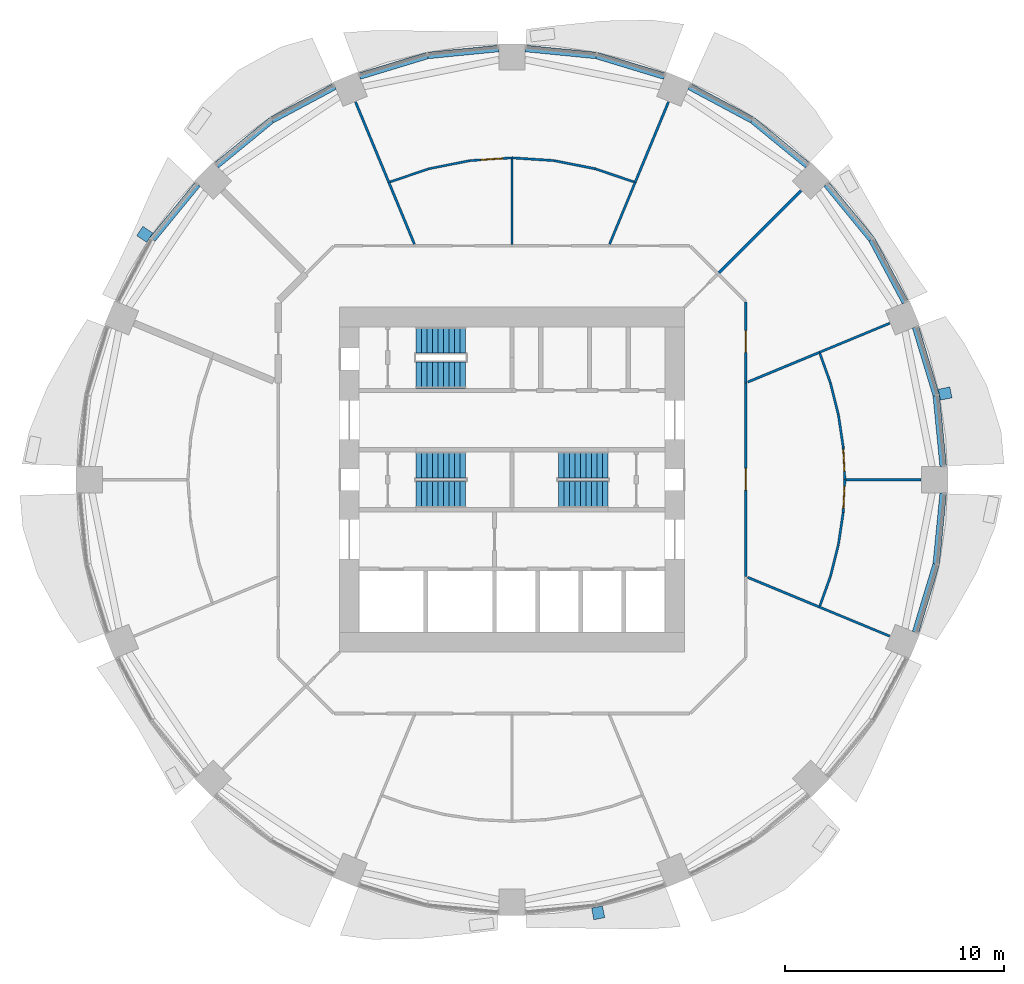
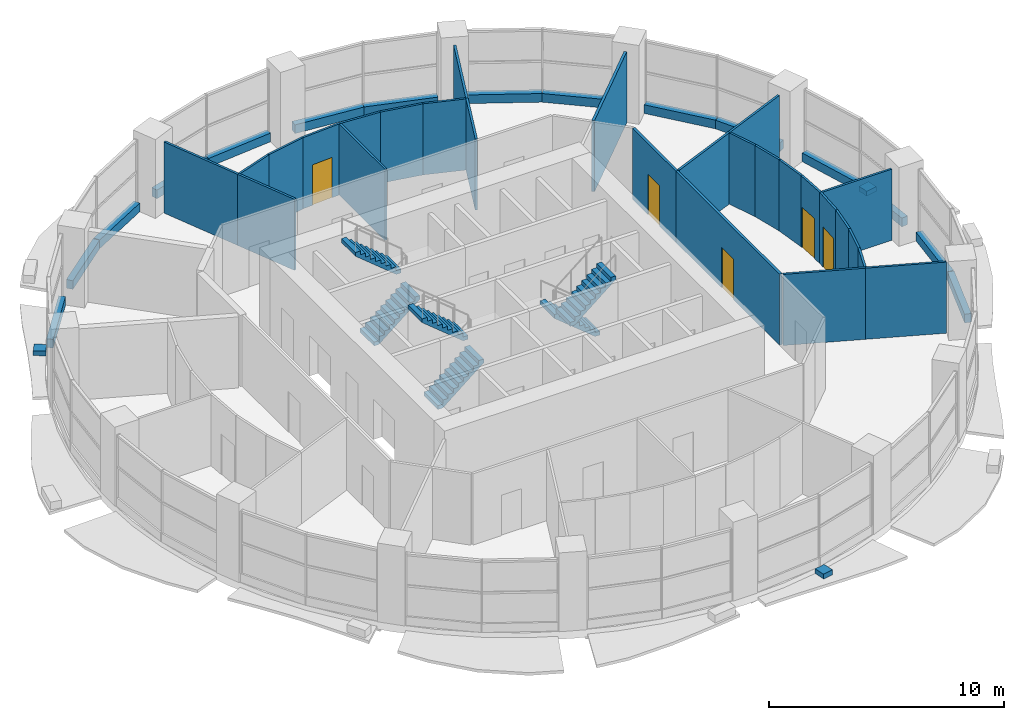
# One storey, part 10 of 14: 42 walls, 6 stair flights, 5 doors, 3 discrete accessories, 5 openings, 3 elements without a shape of their own.
"""IFC4 building model written with IfcOpenShell, lengths in metres."""

from ifc_helpers import new_model, si_unit, direction, frame, frame_2d, origin, place, context, subcontext, project, spatial, polyline, rectangle, outline, extrude, material, layer, layer_set, type_object, element, fill, aggregate, save


model = new_model("IFC4")

# Units and contexts
model_context = context("Model", 3, precision=1e-05, world=origin(), true_north=direction((0.0, 1.0)))
body_context = subcontext(model_context, "Body", "Model", "MODEL_VIEW")
ifc_project = project(units=[si_unit("LENGTHUNIT", "METRE"), si_unit("AREAUNIT", "SQUARE_METRE"), si_unit("VOLUMEUNIT", "CUBIC_METRE"), si_unit("PLANEANGLEUNIT", "RADIAN"), si_unit("MASSUNIT", "GRAM", prefix="KILO")], contexts=[model_context])

# Site, building, storey
site_placement = place(None, origin())
site = spatial("IfcSite", under=ifc_project, at=site_placement, CompositionType="ELEMENT")
building_placement = place(site_placement, origin())
building = spatial("IfcBuilding", under=site, at=building_placement, Name="Polderwave Tower", CompositionType="ELEMENT")
storey_placement = place(building_placement, frame((0.0, 0.0, 14.39990234375)))
storey = spatial("IfcBuildingStorey", under=building, at=storey_placement, Name="L03", CompositionType="ELEMENT", Elevation=14.39990234375)

# Walls
ifc_material_1 = material(Name="Concrete C50/60 (board-marked)", Category="concrete")
ifc_layer_1 = layer(ifc_material_1, 0.300048828125)
ifc_layer_set_1 = layer_set([ifc_layer_1], Name="Concrete spandrel upstand C50/60")
wall_type_1 = type_object("IfcWallType", Name="Concrete spandrel upstand C50/60", PredefinedType="SOLIDWALL", material=ifc_layer_set_1)
wall_1_placement = place(storey_placement, frame((19.679443359375, 0.61279296875, 0.0), z_axis=(0.0, 0.0, 1.0), x_axis=(-0.097839315898, 0.995202224809, 0.0)))
element("IfcWall", 1, at=wall_1_placement, inside=storey, type_object=wall_type_1, Name="Spandrel L03 1a", PredefinedType="SOLIDWALL", context=body_context, shape_type="SweptSolid", body=[
    extrude(rectangle(XDim=3.239013671875, YDim=0.300048828125, at=frame_2d((1.61962890625, 0.0))), origin(), (0.0, 0.0, 1.0), 0.4501953125),
])
wall_2_placement = place(storey_placement, frame((19.356689453125, 3.865478515625, 0.0), z_axis=(0.0, 0.0, 1.0), x_axis=(-0.290390365963, 0.956908269039, 0.0)))
element("IfcWall", 2, at=wall_2_placement, inside=storey, type_object=wall_type_1, Name="Spandrel L03 1b", PredefinedType="SOLIDWALL", context=body_context, shape_type="SweptSolid", body=[
    extrude(rectangle(XDim=3.237548828125, YDim=0.300048828125, at=frame_2d((1.61865234375, 0.0))), origin(), (0.0, 0.0, 1.0), 0.4501953125),
])
for number, where, z_axis, x_axis, name in (
    (3, (17.94580078125, 8.09716796875, 0.0), (0.0, 0.0, 1.0), (-0.471085080078, 0.882087777564, 0.0), "Spandrel L03 2a"),
    (4, (16.403564453125, 10.978515625, 0.0), (0.0, 0.0, 1.0), (-0.634218412843, 0.773153933451, 0.0), "Spandrel L03 2b"),
    (5, (13.482421875, 14.349609375, 0.0), (0.0, 0.0, 1.0), (-0.773153933451, 0.634218412843, 0.0), "Spandrel L03 3a"),
    (6, (10.953857421875, 16.420166015625, 0.0), (0.0, 0.0, 1.0), (-0.882087777564, 0.471085080078, 0.0), "Spandrel L03 3b"),
):
    element("IfcWall", number, at=place(storey_placement, frame(where, z_axis=z_axis, x_axis=x_axis)), inside=storey, type_object=wall_type_1, Name=name, PredefinedType="SOLIDWALL", context=body_context, shape_type="SweptSolid", body=[
        extrude(rectangle(XDim=3.238525390625, YDim=0.300048828125, at=frame_2d((1.619140625, 0.0))), origin(), (0.0, 0.0, 1.0), 0.4501953125),
    ])
wall_3_placement = place(storey_placement, frame((6.963623046875, 18.41650390625, 0.0), z_axis=(0.0, 0.0, 1.0), x_axis=(-0.956908269039, 0.290390365963, 0.0)))
element("IfcWall", 7, at=wall_3_placement, inside=storey, type_object=wall_type_1, Name="Spandrel L03 4a", PredefinedType="SOLIDWALL", context=body_context, shape_type="SweptSolid", body=[
    extrude(rectangle(XDim=3.237548828125, YDim=0.300048828125, at=frame_2d((1.61865234375, 0.0))), origin(), (0.0, 0.0, 1.0), 0.4501953125),
])
for number, where, z_axis, x_axis, name in (
    (8, (3.836181640625, 19.362548828125, 0.0), (0.0, 0.0, 1.0), (-0.995202224809, 0.097839315898, 0.0), "Spandrel L03 4b"),
    (9, (-0.61279296875, 19.679443359375, 0.0), (0.0, 0.0, 1.0), (-0.995202224809, -0.097839315898, 0.0), "Spandrel L03 5a"),
):
    element("IfcWall", number, at=place(storey_placement, frame(where, z_axis=z_axis, x_axis=x_axis)), inside=storey, type_object=wall_type_1, Name=name, PredefinedType="SOLIDWALL", context=body_context, shape_type="SweptSolid", body=[
        extrude(rectangle(XDim=3.239013671875, YDim=0.300048828125, at=frame_2d((1.61962890625, 0.0))), origin(), (0.0, 0.0, 1.0), 0.4501953125),
    ])
wall_4_placement = place(storey_placement, frame((-3.865478515625, 19.356689453125, 0.0), z_axis=(0.0, 0.0, 1.0), x_axis=(-0.956908269039, -0.290390365963, 0.0)))
element("IfcWall", 10, at=wall_4_placement, inside=storey, type_object=wall_type_1, Name="Spandrel L03 5b", PredefinedType="SOLIDWALL", context=body_context, shape_type="SweptSolid", body=[
    extrude(rectangle(XDim=3.237548828125, YDim=0.300048828125, at=frame_2d((1.61865234375, 0.0))), origin(), (0.0, 0.0, 1.0), 0.4501953125),
])
for number, where, z_axis, x_axis, name in (
    (11, (-8.09716796875, 17.94580078125, 0.0), (0.0, 0.0, 1.0), (-0.882087777564, -0.471085080078, 0.0), "Spandrel L03 6a"),
    (12, (-10.978515625, 16.403564453125, 0.0), (0.0, 0.0, 1.0), (-0.773153933451, -0.634218412843, 0.0), "Spandrel L03 6b"),
    (13, (-14.349609375, 13.482421875, 0.0), (0.0, 0.0, 1.0), (-0.634218412843, -0.773153933451, 0.0), "Spandrel L03 7a"),
):
    element("IfcWall", number, at=place(storey_placement, frame(where, z_axis=z_axis, x_axis=x_axis)), inside=storey, type_object=wall_type_1, Name=name, PredefinedType="SOLIDWALL", context=body_context, shape_type="SweptSolid", body=[
        extrude(rectangle(XDim=3.238525390625, YDim=0.300048828125, at=frame_2d((1.619140625, 0.0))), origin(), (0.0, 0.0, 1.0), 0.4501953125),
    ])
wall_5_placement = place(storey_placement, frame((18.41650390625, -6.963623046875, 0.0), z_axis=(0.0, 0.0, 1.0), x_axis=(0.290390365963, 0.956908269039, 0.0)))
element("IfcWall", 14, at=wall_5_placement, inside=storey, type_object=wall_type_1, Name="Spandrel L03 16a", PredefinedType="SOLIDWALL", context=body_context, shape_type="SweptSolid", body=[
    extrude(rectangle(XDim=3.237548828125, YDim=0.300048828125, at=frame_2d((1.61865234375, 0.0))), origin(), (0.0, 0.0, 1.0), 0.4501953125),
])
wall_6_placement = place(storey_placement, frame((19.362548828125, -3.836181640625, 0.0), z_axis=(0.0, 0.0, 1.0), x_axis=(0.097839315898, 0.995202224809, 0.0)))
element("IfcWall", 15, at=wall_6_placement, inside=storey, type_object=wall_type_1, Name="Spandrel L03 16b", PredefinedType="SOLIDWALL", context=body_context, shape_type="SweptSolid", body=[
    extrude(rectangle(XDim=3.239013671875, YDim=0.300048828125, at=frame_2d((1.61962890625, 0.0))), origin(), (0.0, 0.0, 1.0), 0.4501953125),
])

# Wall, opening, door
ifc_material_2 = material(Name="Fire-resisting board on steel studs", Category="steel")
ifc_layer_2 = layer(ifc_material_2, 0.125)
ifc_layer_set_2 = layer_set([ifc_layer_2], Name="Corridor wall 125 mm EI 60")
wall_type_2 = type_object("IfcWallType", Name="Corridor wall 125 mm EI 60", PredefinedType="PARTITIONING", material=ifc_layer_set_2)
wall_7_placement = place(storey_placement, frame((10.674072265625, 4.42138671875, 0.0), z_axis=(0.0, 0.0, 1.0), x_axis=(0.0, -1.0, 0.0)))
wall_7 = element("IfcWall", 16, at=wall_7_placement, inside=storey, type_object=wall_type_2, Name="IN-L03-W002", PredefinedType="PARTITIONING", context=body_context, shape_type="SweptSolid", body=[
    extrude(rectangle(XDim=8.8427734375, YDim=0.125, at=frame_2d((4.42138671875, 0.0))), origin(), (0.0, 0.0, 1.0), 3.7001953125),
])
opening_1_placement = place(wall_7_placement, frame((3.89990234375, 0.0, 0.0)))
opening_1 = element("IfcOpeningElement", 17, at=opening_1_placement, cuts=wall_7, Name="Opening L03-D51", PredefinedType="OPENING", context=body_context, shape_type="SweptSolid", body=[
    extrude(rectangle(XDim=1.0, YDim=2.10009765625, at=frame_2d((0.5, 1.050048828125))), frame((0.0, 0.072509765625, 0.0), z_axis=(0.0, -1.0, 0.0), x_axis=(1.0, 0.0, 0.0)), (0.0, 0.0, 1.0), 0.14501953125),
])
ifc_material_3 = material(Name="Timber fire door leaf", Category="wood")
door_type_1 = type_object("IfcDoorType", Name="Fire door FD30S 1000 x 2100", OperationType="NOTDEFINED", PredefinedType="DOOR", material=ifc_material_3)
door_1_placement = place(opening_1_placement, origin())
door_1 = element("IfcDoor", 18, at=door_1_placement, inside=storey, type_object=door_type_1, Name="Door L03-D51", OperationType="SINGLE_SWING_LEFT", OverallHeight=2.10009765625, OverallWidth=1.0, PredefinedType="DOOR", context=body_context, shape_type="SweptSolid", body=[
    extrude(rectangle(XDim=1.0, YDim=2.10009765625, at=frame_2d((0.5, 1.050048828125))), frame((0.0, 0.02490234375, 0.0), z_axis=(0.0, -1.0, 0.0), x_axis=(1.0, 0.0, 0.0)), (0.0, 0.0, 1.0), 0.050048828125),
])
fill(opening_1, door_1)

wall_8_placement = place(storey_placement, frame((10.674072265625, 8.109130859375, 0.0), z_axis=(0.0, 0.0, 1.0), x_axis=(0.0, -1.0, 0.0)))
wall_8 = element("IfcWall", 19, at=wall_8_placement, inside=storey, type_object=wall_type_2, Name="IN-L03-W004", PredefinedType="PARTITIONING", context=body_context, shape_type="SweptSolid", body=[
    extrude(rectangle(XDim=3.687744140625, YDim=0.125, at=frame_2d((1.84375, 0.0))), origin(), (0.0, 0.0, 1.0), 3.7001953125),
])
opening_2_placement = place(wall_8_placement, frame((1.300048828125, 0.0, 0.0)))
opening_2 = element("IfcOpeningElement", 20, at=opening_2_placement, cuts=wall_8, Name="Opening L03-D52", PredefinedType="OPENING", context=body_context, shape_type="SweptSolid", body=[
    extrude(rectangle(XDim=1.0, YDim=2.10009765625, at=frame_2d((0.5, 1.050048828125))), frame((0.0, 0.072509765625, 0.0), z_axis=(0.0, -1.0, 0.0), x_axis=(1.0, 0.0, 0.0)), (0.0, 0.0, 1.0), 0.14501953125),
])
door_2_placement = place(opening_2_placement, origin())
door_2 = element("IfcDoor", 21, at=door_2_placement, inside=storey, type_object=door_type_1, Name="Door L03-D52", OperationType="SINGLE_SWING_LEFT", OverallHeight=2.10009765625, OverallWidth=1.0, PredefinedType="DOOR", context=body_context, shape_type="SweptSolid", body=[
    extrude(rectangle(XDim=1.0, YDim=2.10009765625, at=frame_2d((0.5, 1.050048828125))), frame((0.0, 0.02490234375, 0.0), z_axis=(0.0, -1.0, 0.0), x_axis=(1.0, 0.0, 0.0)), (0.0, 0.0, 1.0), 0.050048828125),
])
fill(opening_2, door_2)

# Walls
wall_9_placement = place(storey_placement, frame((9.44873046875, 9.44873046875, 0.0), z_axis=(0.0, 0.0, 1.0), x_axis=(0.707106781187, 0.707106781187, 0.0)))
element("IfcWall", 22, at=wall_9_placement, inside=storey, type_object=wall_type_2, Name="IN-L03-W036", PredefinedType="PARTITIONING", context=body_context, shape_type="SweptSolid", body=[
    extrude(rectangle(XDim=5.29736328125, YDim=0.125, at=frame_2d((2.648681640625, 0.0))), origin(), (0.0, 0.0, 1.0), 3.7001953125),
])
ifc_material_4 = material(Name="Plasterboard on steel studs", Category="steel")
ifc_layer_3 = layer(ifc_material_4, 0.10009765625)
ifc_layer_set_3 = layer_set([ifc_layer_3], Name="Partition 100 mm plasterboard on steel studs")
wall_type_3 = type_object("IfcWallType", Name="Partition 100 mm plasterboard on steel studs", PredefinedType="PARTITIONING", material=ifc_layer_set_3)
wall_10_placement = place(storey_placement, frame((-3.80517578125, 14.1884765625, 0.0), z_axis=(0.0, 0.0, 1.0), x_axis=(-0.946923058419, -0.321460295269, 0.0)))
element("IfcWall", 23, at=wall_10_placement, inside=storey, type_object=wall_type_3, Name="IN-L03-W044", PredefinedType="PARTITIONING", context=body_context, shape_type="SweptSolid", body=[
    extrude(rectangle(XDim=1.85986328125, YDim=0.10009765625, at=frame_2d((0.929931640625, 0.0))), origin(), (0.0, 0.0, 1.0), 3.7001953125),
])
wall_11_placement = place(storey_placement, frame((-1.920654296875, 14.563720703125, 0.0), z_axis=(0.0, 0.0, 1.0), x_axis=(-0.980790960038, -0.195061766393, 0.0)))
element("IfcWall", 24, at=wall_11_placement, inside=storey, type_object=wall_type_3, Name="IN-L03-W045", PredefinedType="PARTITIONING", context=body_context, shape_type="SweptSolid", body=[
    extrude(rectangle(XDim=1.9150390625, YDim=0.10009765625, at=frame_2d((0.95751953125, 0.0))), origin(), (0.0, 0.0, 1.0), 3.7001953125),
])

# Wall, opening, door
wall_12_placement = place(storey_placement, frame((-1.9140625, 14.564453125, 0.0), z_axis=(0.0, 0.0, 1.0), x_axis=(0.997857766384, 0.065420777031, 0.0)))
wall_12 = element("IfcWall", 25, at=wall_12_placement, inside=storey, type_object=wall_type_3, Name="IN-L03-W046", PredefinedType="PARTITIONING", context=body_context, shape_type="SweptSolid", body=[
    extrude(rectangle(XDim=1.918212890625, YDim=0.10009765625, at=frame_2d((0.958984375, 0.0))), origin(), (0.0, 0.0, 1.0), 3.7001953125),
])
opening_3_placement = place(wall_12_placement, frame((0.5, 0.0, 0.0)))
opening_3 = element("IfcOpeningElement", 26, at=opening_3_placement, cuts=wall_12, Name="Opening L03-D67", PredefinedType="OPENING", context=body_context, shape_type="SweptSolid", body=[
    extrude(rectangle(XDim=1.0, YDim=2.10009765625, at=frame_2d((0.5, 1.050048828125))), frame((0.0, 0.06005859375, 0.0), z_axis=(0.0, -1.0, 0.0), x_axis=(1.0, 0.0, 0.0)), (0.0, 0.0, 1.0), 0.1201171875),
])
ifc_material_5 = material(Name="Timber veneer door leaf", Category="wood")
door_type_2 = type_object("IfcDoorType", Name="Single door 1000 x 2100", OperationType="NOTDEFINED", PredefinedType="DOOR", material=ifc_material_5)
door_3_placement = place(opening_3_placement, origin())
door_3 = element("IfcDoor", 27, at=door_3_placement, inside=storey, type_object=door_type_2, Name="Door L03-D67", OperationType="SINGLE_SWING_RIGHT", OverallHeight=2.10009765625, OverallWidth=1.0, PredefinedType="DOOR", context=body_context, shape_type="SweptSolid", body=[
    extrude(rectangle(XDim=1.0, YDim=2.10009765625, at=frame_2d((0.5, 1.050048828125))), frame((0.0, 0.02490234375, 0.0), z_axis=(0.0, -1.0, 0.0), x_axis=(1.0, 0.0, 0.0)), (0.0, 0.0, 1.0), 0.050048828125),
])
fill(opening_3, door_3)

# Walls
ifc_material_6 = material(Name="Moisture-resistant board on steel studs, tiled", Category="steel")
ifc_layer_4 = layer(ifc_material_6, 0.10498046875)
ifc_layer_set_4 = layer_set([ifc_layer_4], Name="Partition 105 mm wet room board and tile")
wall_type_4 = type_object("IfcWallType", Name="Partition 105 mm wet room board and tile", PredefinedType="PARTITIONING", material=ifc_layer_set_4)
wall_13_placement = place(storey_placement, frame((14.052978515625, 5.758544921875, 0.0), z_axis=(0.0, 0.0, 1.0), x_axis=(0.336941851805, -0.941525458234, 0.0)))
element("IfcWall", 28, at=wall_13_placement, inside=storey, type_object=wall_type_4, Name="IN-L03-W026", PredefinedType="PARTITIONING", context=body_context, shape_type="SweptSolid", body=[
    extrude(rectangle(XDim=1.430419921875, YDim=0.10498046875, at=frame_2d((0.71533203125, 0.0))), origin(), (0.0, 0.0, 1.0), 3.7001953125),
])
for number, where, z_axis, x_axis, name in (
    (29, (14.53662109375, 4.406982421875, 0.0), (0.0, 0.0, 1.0), (0.242883607916, -0.97005543811, 0.0), "IN-L03-W027"),
    (30, (14.8984375, 2.9609375, 0.0), (0.0, 0.0, 1.0), (0.146757118084, -0.989172557389, 0.0), "IN-L03-W028"),
):
    element("IfcWall", number, at=place(storey_placement, frame(where, z_axis=z_axis, x_axis=x_axis)), inside=storey, type_object=wall_type_4, Name=name, PredefinedType="PARTITIONING", context=body_context, shape_type="SweptSolid", body=[
        extrude(rectangle(XDim=1.485595703125, YDim=0.10498046875, at=frame_2d((0.74267578125, 0.0))), origin(), (0.0, 0.0, 1.0), 3.7001953125),
    ])

# Wall, opening, door
wall_14_placement = place(storey_placement, frame((15.116943359375, 1.486328125, 0.0), z_axis=(0.0, 0.0, 1.0), x_axis=(0.049053883697, -0.9987961336, 0.0)))
wall_14 = element("IfcWall", 31, at=wall_14_placement, inside=storey, type_object=wall_type_4, Name="IN-L03-W029", PredefinedType="PARTITIONING", context=body_context, shape_type="SweptSolid", body=[
    extrude(rectangle(XDim=1.488037109375, YDim=0.10498046875, at=frame_2d((0.744140625, 0.0))), origin(), (0.0, 0.0, 1.0), 3.7001953125),
])
opening_4_placement = place(wall_14_placement, frame((0.10009765625, 0.0, 0.0)))
opening_4 = element("IfcOpeningElement", 32, at=opening_4_placement, cuts=wall_14, Name="Opening L03-D65", PredefinedType="OPENING", context=body_context, shape_type="SweptSolid", body=[
    extrude(rectangle(XDim=1.0, YDim=2.10009765625, at=frame_2d((0.5, 1.050048828125))), frame((0.0, 0.0625, 0.0), z_axis=(0.0, -1.0, 0.0), x_axis=(1.0, 0.0, 0.0)), (0.0, 0.0, 1.0), 0.125),
])
door_4_placement = place(opening_4_placement, origin())
door_4 = element("IfcDoor", 33, at=door_4_placement, inside=storey, type_object=door_type_2, Name="Door L03-D65", OperationType="SINGLE_SWING_LEFT", OverallHeight=2.10009765625, OverallWidth=1.0, PredefinedType="DOOR", context=body_context, shape_type="SweptSolid", body=[
    extrude(rectangle(XDim=1.0, YDim=2.10009765625, at=frame_2d((0.5, 1.050048828125))), frame((0.0, 0.02490234375, 0.0), z_axis=(0.0, -1.0, 0.0), x_axis=(1.0, 0.0, 0.0)), (0.0, 0.0, 1.0), 0.050048828125),
])
fill(opening_4, door_4)

# Walls
wall_15_placement = place(storey_placement, frame((14.534912109375, -4.411865234375, 0.0), z_axis=(0.0, 0.0, 1.0), x_axis=(-0.336941851805, -0.941525458234, 0.0)))
element("IfcWall", 34, at=wall_15_placement, inside=storey, type_object=wall_type_4, Name="IN-L03-W031", PredefinedType="PARTITIONING", context=body_context, shape_type="SweptSolid", body=[
    extrude(rectangle(XDim=1.430419921875, YDim=0.10498046875, at=frame_2d((0.71533203125, 0.0))), origin(), (0.0, 0.0, 1.0), 3.7001953125),
])
for number, where, z_axis, x_axis, name in (
    (35, (14.8974609375, -2.9658203125, 0.0), (0.0, 0.0, 1.0), (-0.242883607916, -0.97005543811, 0.0), "IN-L03-W032"),
    (36, (15.116455078125, -1.491455078125, 0.0), (0.0, 0.0, 1.0), (-0.146757118084, -0.989172557389, 0.0), "IN-L03-W033"),
):
    element("IfcWall", number, at=place(storey_placement, frame(where, z_axis=z_axis, x_axis=x_axis)), inside=storey, type_object=wall_type_4, Name=name, PredefinedType="PARTITIONING", context=body_context, shape_type="SweptSolid", body=[
        extrude(rectangle(XDim=1.485595703125, YDim=0.10498046875, at=frame_2d((0.74267578125, 0.0))), origin(), (0.0, 0.0, 1.0), 3.7001953125),
    ])

# Wall, opening, door
wall_16_placement = place(storey_placement, frame((15.18994140625, 0.0, 0.0), z_axis=(0.0, 0.0, 1.0), x_axis=(-0.049053883697, -0.9987961336, 0.0)))
wall_16 = element("IfcWall", 37, at=wall_16_placement, inside=storey, type_object=wall_type_4, Name="IN-L03-W034", PredefinedType="PARTITIONING", context=body_context, shape_type="SweptSolid", body=[
    extrude(rectangle(XDim=1.488037109375, YDim=0.10498046875, at=frame_2d((0.744140625, 0.0))), origin(), (0.0, 0.0, 1.0), 3.7001953125),
])
opening_5_placement = place(wall_16_placement, frame((0.300048828125, 0.0, 0.0)))
opening_5 = element("IfcOpeningElement", 38, at=opening_5_placement, cuts=wall_16, Name="Opening L03-D66", PredefinedType="OPENING", context=body_context, shape_type="SweptSolid", body=[
    extrude(rectangle(XDim=1.0, YDim=2.10009765625, at=frame_2d((0.5, 1.050048828125))), frame((0.0, 0.0625, 0.0), z_axis=(0.0, -1.0, 0.0), x_axis=(1.0, 0.0, 0.0)), (0.0, 0.0, 1.0), 0.125),
])
door_5_placement = place(opening_5_placement, origin())
door_5 = element("IfcDoor", 39, at=door_5_placement, inside=storey, type_object=door_type_2, Name="Door L03-D66", OperationType="SINGLE_SWING_RIGHT", OverallHeight=2.10009765625, OverallWidth=1.0, PredefinedType="DOOR", context=body_context, shape_type="SweptSolid", body=[
    extrude(rectangle(XDim=1.0, YDim=2.10009765625, at=frame_2d((0.5, 1.050048828125))), frame((0.0, 0.02490234375, 0.0), z_axis=(0.0, -1.0, 0.0), x_axis=(1.0, 0.0, 0.0)), (0.0, 0.0, 1.0), 0.050048828125),
])
fill(opening_5, door_5)

# Walls
wall_17_placement = place(storey_placement, frame((17.239501953125, 7.140869140625, 0.0), z_axis=(0.0, 0.0, 1.0), x_axis=(-0.923880484932, -0.382681133009, 0.0)))
element("IfcWall", 40, at=wall_17_placement, inside=storey, type_object=wall_type_4, Name="IN-L03-W035", PredefinedType="PARTITIONING", context=body_context, shape_type="SweptSolid", body=[
    extrude(rectangle(XDim=3.469970703125, YDim=0.10498046875, at=frame_2d((1.73486328125, 0.0))), origin(), (0.0, 0.0, 1.0), 3.7001953125),
])
wall_18_placement = place(storey_placement, frame((18.659912109375, 0.0, 0.0), z_axis=(0.0, 0.0, 1.0), x_axis=(-1.0, 0.0, 0.0)))
element("IfcWall", 41, at=wall_18_placement, inside=storey, type_object=wall_type_4, Name="IN-L03-W037", PredefinedType="PARTITIONING", context=body_context, shape_type="SweptSolid", body=[
    extrude(rectangle(XDim=3.414794921875, YDim=0.10498046875, at=frame_2d((1.70751953125, 0.0))), origin(), (0.0, 0.0, 1.0), 3.7001953125),
])
wall_19_placement = place(storey_placement, frame((4.45556640625, 10.756591796875, 0.0), z_axis=(0.0, 0.0, 1.0), x_axis=(0.382663149086, 0.92388793386, 0.0)))
element("IfcWall", 42, at=wall_19_placement, inside=storey, type_object=wall_type_4, Name="IN-L03-W038", PredefinedType="PARTITIONING", context=body_context, shape_type="SweptSolid", body=[
    extrude(rectangle(XDim=3.047119140625, YDim=0.10498046875, at=frame_2d((1.5234375, 0.0))), origin(), (0.0, 0.0, 1.0), 3.7001953125),
])
wall_20_placement = place(storey_placement, frame((0.0, 14.68994140625, 0.0), z_axis=(0.0, 0.0, 1.0), x_axis=(0.997857766384, -0.065420777031, 0.0)))
element("IfcWall", 43, at=wall_20_placement, inside=storey, type_object=wall_type_4, Name="IN-L03-W040", PredefinedType="PARTITIONING", context=body_context, shape_type="SweptSolid", body=[
    extrude(rectangle(XDim=1.918212890625, YDim=0.10498046875, at=frame_2d((0.958984375, 0.0))), origin(), (0.0, 0.0, 1.0), 3.7001953125),
])
wall_21_placement = place(storey_placement, frame((1.9208984375, 14.563720703125, 0.0), z_axis=(0.0, 0.0, 1.0), x_axis=(0.980781254537, -0.195110560323, 0.0)))
element("IfcWall", 44, at=wall_21_placement, inside=storey, type_object=wall_type_4, Name="IN-L03-W041", PredefinedType="PARTITIONING", context=body_context, shape_type="SweptSolid", body=[
    extrude(rectangle(XDim=1.91455078125, YDim=0.10498046875, at=frame_2d((0.957275390625, 0.0))), origin(), (0.0, 0.0, 1.0), 3.7001953125),
])
wall_22_placement = place(storey_placement, frame((3.805419921875, 14.1884765625, 0.0), z_axis=(0.0, 0.0, 1.0), x_axis=(0.94689591996, -0.321540225732, 0.0)))
element("IfcWall", 45, at=wall_22_placement, inside=storey, type_object=wall_type_4, Name="IN-L03-W042", PredefinedType="PARTITIONING", context=body_context, shape_type="SweptSolid", body=[
    extrude(rectangle(XDim=1.859375, YDim=0.10498046875, at=frame_2d((0.9296875, 0.0))), origin(), (0.0, 0.0, 1.0), 3.7001953125),
])
wall_23_placement = place(storey_placement, frame((0.0, 10.736572265625, 0.0), z_axis=(0.0, 0.0, 1.0), x_axis=(0.0, 1.0, 0.0)))
element("IfcWall", 46, at=wall_23_placement, inside=storey, type_object=wall_type_4, Name="IN-L03-W043", PredefinedType="PARTITIONING", context=body_context, shape_type="SweptSolid", body=[
    extrude(rectangle(XDim=3.897216796875, YDim=0.10498046875, at=frame_2d((1.94873046875, 0.0))), origin(), (0.0, 0.0, 1.0), 3.7001953125),
])
wall_24_placement = place(storey_placement, frame((14.03369140625, -5.81298828125, 0.0), z_axis=(0.0, 0.0, 1.0), x_axis=(0.923880484932, -0.382681133009, 0.0)))
element("IfcWall", 47, at=wall_24_placement, inside=storey, type_object=wall_type_4, Name="IN-L03-W075", PredefinedType="PARTITIONING", context=body_context, shape_type="SweptSolid", body=[
    extrude(rectangle(XDim=3.469970703125, YDim=0.10498046875, at=frame_2d((1.73486328125, 0.0))), origin(), (0.0, 0.0, 1.0), 3.7001953125),
])
ifc_material_7 = material(Name="Acoustic double plasterboard on steel studs", Category="steel")
ifc_layer_5 = layer(ifc_material_7, 0.110107421875)
ifc_layer_set_5 = layer_set([ifc_layer_5], Name="Partition 110 mm acoustic double board")
wall_type_5 = type_object("IfcWallType", Name="Partition 110 mm acoustic double board", PredefinedType="PARTITIONING", material=ifc_layer_set_5)
for number, where, z_axis, x_axis, name in (
    (48, (10.757568359375, 4.455810546875, 0.0), (0.0, 0.0, 1.0), (0.923863266707, 0.38272269913, 0.0), "IN-L03-W025"),
    (49, (14.03369140625, -5.81298828125, 0.0), (0.0, 0.0, 1.0), (-0.923863266707, 0.38272269913, 0.0), "IN-L03-W030"),
):
    element("IfcWall", number, at=place(storey_placement, frame(where, z_axis=z_axis, x_axis=x_axis)), inside=storey, type_object=wall_type_5, Name=name, PredefinedType="PARTITIONING", context=body_context, shape_type="SweptSolid", body=[
        extrude(rectangle(XDim=3.546142578125, YDim=0.110107421875, at=frame_2d((1.77294921875, 0.0))), origin(), (0.0, 0.0, 1.0), 3.7001953125),
    ])
for number, where, z_axis, x_axis, name in (
    (50, (5.62158203125, 13.57177734375, 0.0), (0.0, 0.0, 1.0), (0.382697586706, 0.923873669464, 0.0), "IN-L03-W039"),
    (51, (-5.62158203125, 13.57177734375, 0.0), (0.0, 0.0, 1.0), (-0.382697586706, 0.923873669464, 0.0), "IN-L03-W047"),
):
    element("IfcWall", number, at=place(storey_placement, frame(where, z_axis=z_axis, x_axis=x_axis)), inside=storey, type_object=wall_type_5, Name=name, PredefinedType="PARTITIONING", context=body_context, shape_type="SweptSolid", body=[
        extrude(rectangle(XDim=3.969970703125, YDim=0.110107421875, at=frame_2d((1.98486328125, 0.0))), origin(), (0.0, 0.0, 1.0), 3.7001953125),
    ])
wall_25_placement = place(storey_placement, frame((-4.455810546875, 10.757568359375, 0.0), z_axis=(0.0, 0.0, 1.0), x_axis=(-0.382708078366, 0.923869323418, 0.0)))
element("IfcWall", 52, at=wall_25_placement, inside=storey, type_object=wall_type_5, Name="IN-L03-W048", PredefinedType="PARTITIONING", context=body_context, shape_type="SweptSolid", body=[
    extrude(rectangle(XDim=3.046142578125, YDim=0.110107421875, at=frame_2d((1.52294921875, 0.0))), origin(), (0.0, 0.0, 1.0), 3.7001953125),
])

# Stair, stair flights
ifc_material_8 = material(Name="Concrete C40/50", Category="concrete")
stair_type = type_object("IfcStairType", Name="Exit stair 1200 x 20 risers", PredefinedType="HALF_TURN_STAIR", material=ifc_material_8)
stair_1_placement = place(storey_placement, origin())
stair_1 = element("IfcStair", 53, at=stair_1_placement, inside=storey, type_object=stair_type, Name="L03 Exit stair A", PredefinedType="HALF_TURN_STAIR")
stair_flight_type = type_object("IfcStairFlightType", Name="Stair flight 1200", PredefinedType="STRAIGHT", material=ifc_material_8)
stair_flight_1_placement = place(storey_placement, frame((-4.3740234375, -0.675048828125, 0.0), z_axis=(0.0, 0.0, 1.0), x_axis=(1.0, 0.0, 0.0)))
stair_flight_1 = element("IfcStairFlight", 54, at=stair_flight_1_placement, type_object=stair_flight_type, Name="ST-A flight 1", NumberOfRisers=10, NumberOfTreads=9, PredefinedType="STRAIGHT", RiserHeight=0.205, TreadLength=0.25, context=body_context, shape_type="SweptSolid", body=[
    extrude(outline(polyline([(0.0, 0.0), (0.0, 0.205078125), (0.25, 0.205078125), (0.25, 0.409912109375), (0.5, 0.409912109375), (0.5, 0.614990234375), (0.75, 0.614990234375), (0.75, 0.820068359375), (1.0, 0.820068359375), (1.0, 1.02490234375), (1.25, 1.02490234375), (1.25, 1.22998046875), (1.5, 1.22998046875), (1.5, 1.43505859375), (1.75, 1.43505859375), (1.75, 1.639892578125), (2.0, 1.639892578125), (2.0, 1.844970703125), (2.25, 1.844970703125), (2.25, 2.050048828125), (2.25, 1.651123046875), (0.236328125, 0.0), (0.0, 0.0)])), frame((0.0, 0.60009765625, 0.0), z_axis=(0.0, -1.0, 0.0), x_axis=(1.0, 0.0, 0.0)), (0.0, 0.0, 1.0), 1.199951171875),
])
stair_flight_2_placement = place(storey_placement, frame((-2.1240234375, 0.675048828125, 2.050048828125), z_axis=(0.0, 0.0, 1.0), x_axis=(-1.0, 0.0, 0.0)))
stair_flight_2 = element("IfcStairFlight", 55, at=stair_flight_2_placement, type_object=stair_flight_type, Name="ST-A flight 2", NumberOfRisers=10, NumberOfTreads=9, PredefinedType="STRAIGHT", RiserHeight=0.205, TreadLength=0.25, context=body_context, shape_type="SweptSolid", body=[
    extrude(outline(polyline([(0.0, 0.0), (0.0, 0.205078125), (0.25, 0.205078125), (0.25, 0.409912109375), (0.5, 0.409912109375), (0.5, 0.614990234375), (0.75, 0.614990234375), (0.75, 0.820068359375), (1.0, 0.820068359375), (1.0, 1.02490234375), (1.25, 1.02490234375), (1.25, 1.22998046875), (1.5, 1.22998046875), (1.5, 1.43505859375), (1.75, 1.43505859375), (1.75, 1.639892578125), (2.0, 1.639892578125), (2.0, 1.844970703125), (2.25, 1.844970703125), (2.25, 2.050048828125), (2.25, 1.651123046875), (0.236328125, 0.0), (0.0, 0.0)])), frame((0.0, 0.60009765625, 0.0), z_axis=(0.0, -1.0, 0.0), x_axis=(1.0, 0.0, 0.0)), (0.0, 0.0, 1.0), 1.199951171875),
])
aggregate(stair_1, [stair_flight_1, stair_flight_2])

stair_2_placement = place(storey_placement, origin())
stair_2 = element("IfcStair", 56, at=stair_2_placement, inside=storey, type_object=stair_type, Name="L03 Exit stair B", PredefinedType="HALF_TURN_STAIR")
stair_flight_3_placement = place(storey_placement, frame((4.3740234375, 0.675048828125, 0.0), z_axis=(0.0, 0.0, 1.0), x_axis=(-1.0, 0.0, 0.0)))
stair_flight_3 = element("IfcStairFlight", 57, at=stair_flight_3_placement, type_object=stair_flight_type, Name="ST-B flight 1", NumberOfRisers=10, NumberOfTreads=9, PredefinedType="STRAIGHT", RiserHeight=0.205, TreadLength=0.25, context=body_context, shape_type="SweptSolid", body=[
    extrude(outline(polyline([(0.0, 0.0), (0.0, 0.205078125), (0.25, 0.205078125), (0.25, 0.409912109375), (0.5, 0.409912109375), (0.5, 0.614990234375), (0.75, 0.614990234375), (0.75, 0.820068359375), (1.0, 0.820068359375), (1.0, 1.02490234375), (1.25, 1.02490234375), (1.25, 1.22998046875), (1.5, 1.22998046875), (1.5, 1.43505859375), (1.75, 1.43505859375), (1.75, 1.639892578125), (2.0, 1.639892578125), (2.0, 1.844970703125), (2.25, 1.844970703125), (2.25, 2.050048828125), (2.25, 1.651123046875), (0.236328125, 0.0), (0.0, 0.0)])), frame((0.0, 0.60009765625, 0.0), z_axis=(0.0, -1.0, 0.0), x_axis=(1.0, 0.0, 0.0)), (0.0, 0.0, 1.0), 1.199951171875),
])
stair_flight_4_placement = place(storey_placement, frame((2.1240234375, -0.675048828125, 2.050048828125), z_axis=(0.0, 0.0, 1.0), x_axis=(1.0, 0.0, 0.0)))
stair_flight_4 = element("IfcStairFlight", 58, at=stair_flight_4_placement, type_object=stair_flight_type, Name="ST-B flight 2", NumberOfRisers=10, NumberOfTreads=9, PredefinedType="STRAIGHT", RiserHeight=0.205, TreadLength=0.25, context=body_context, shape_type="SweptSolid", body=[
    extrude(outline(polyline([(0.0, 0.0), (0.0, 0.205078125), (0.25, 0.205078125), (0.25, 0.409912109375), (0.5, 0.409912109375), (0.5, 0.614990234375), (0.75, 0.614990234375), (0.75, 0.820068359375), (1.0, 0.820068359375), (1.0, 1.02490234375), (1.25, 1.02490234375), (1.25, 1.22998046875), (1.5, 1.22998046875), (1.5, 1.43505859375), (1.75, 1.43505859375), (1.75, 1.639892578125), (2.0, 1.639892578125), (2.0, 1.844970703125), (2.25, 1.844970703125), (2.25, 2.050048828125), (2.25, 1.651123046875), (0.236328125, 0.0), (0.0, 0.0)])), frame((0.0, 0.60009765625, 0.0), z_axis=(0.0, -1.0, 0.0), x_axis=(1.0, 0.0, 0.0)), (0.0, 0.0, 1.0), 1.199951171875),
])
aggregate(stair_2, [stair_flight_3, stair_flight_4])

stair_3_placement = place(storey_placement, origin())
stair_3 = element("IfcStair", 59, at=stair_3_placement, inside=storey, type_object=stair_type, Name="L03 Exit stair C", PredefinedType="HALF_TURN_STAIR")
stair_flight_5_placement = place(storey_placement, frame((-4.3740234375, 4.77392578125, 0.0), z_axis=(0.0, 0.0, 1.0), x_axis=(1.0, 0.0, 0.0)))
stair_flight_5 = element("IfcStairFlight", 60, at=stair_flight_5_placement, type_object=stair_flight_type, Name="ST-C flight 1", NumberOfRisers=10, NumberOfTreads=9, PredefinedType="STRAIGHT", RiserHeight=0.205, TreadLength=0.25, context=body_context, shape_type="SweptSolid", body=[
    extrude(outline(polyline([(0.0, 0.0), (0.0, 0.205078125), (0.25, 0.205078125), (0.25, 0.409912109375), (0.5, 0.409912109375), (0.5, 0.614990234375), (0.75, 0.614990234375), (0.75, 0.820068359375), (1.0, 0.820068359375), (1.0, 1.02490234375), (1.25, 1.02490234375), (1.25, 1.22998046875), (1.5, 1.22998046875), (1.5, 1.43505859375), (1.75, 1.43505859375), (1.75, 1.639892578125), (2.0, 1.639892578125), (2.0, 1.844970703125), (2.25, 1.844970703125), (2.25, 2.050048828125), (2.25, 1.651123046875), (0.236328125, 0.0), (0.0, 0.0)])), frame((0.0, 0.60009765625, 0.0), z_axis=(0.0, -1.0, 0.0), x_axis=(1.0, 0.0, 0.0)), (0.0, 0.0, 1.0), 1.199951171875),
])
stair_flight_6_placement = place(storey_placement, frame((-2.1240234375, 6.3740234375, 2.050048828125), z_axis=(0.0, 0.0, 1.0), x_axis=(-1.0, 0.0, 0.0)))
stair_flight_6 = element("IfcStairFlight", 61, at=stair_flight_6_placement, type_object=stair_flight_type, Name="ST-C flight 2", NumberOfRisers=10, NumberOfTreads=9, PredefinedType="STRAIGHT", RiserHeight=0.205, TreadLength=0.25, context=body_context, shape_type="SweptSolid", body=[
    extrude(outline(polyline([(0.0, 0.0), (0.0, 0.205078125), (0.25, 0.205078125), (0.25, 0.409912109375), (0.5, 0.409912109375), (0.5, 0.614990234375), (0.75, 0.614990234375), (0.75, 0.820068359375), (1.0, 0.820068359375), (1.0, 1.02490234375), (1.25, 1.02490234375), (1.25, 1.22998046875), (1.5, 1.22998046875), (1.5, 1.43505859375), (1.75, 1.43505859375), (1.75, 1.639892578125), (2.0, 1.639892578125), (2.0, 1.844970703125), (2.25, 1.844970703125), (2.25, 2.050048828125), (2.25, 1.651123046875), (0.236328125, 0.0), (0.0, 0.0)])), frame((0.0, 0.60009765625, 0.0), z_axis=(0.0, -1.0, 0.0), x_axis=(1.0, 0.0, 0.0)), (0.0, 0.0, 1.0), 1.199951171875),
])
aggregate(stair_3, [stair_flight_5, stair_flight_6])

# Discrete accessories
ifc_material_9 = material(Name="Steel S355", Category="steel")
discrete_accessory_type = type_object("IfcDiscreteAccessoryType", Name="Band bracket pad", PredefinedType="BRACKET", material=ifc_material_9)
discrete_accessory_1_placement = place(storey_placement, frame((0.0, 0.0, -0.25)))
element("IfcDiscreteAccessory", 62, at=discrete_accessory_1_placement, inside=storey, type_object=discrete_accessory_type, Name="Band bracket L03 1", PredefinedType="BRACKET", context=body_context, shape_type="SweptSolid", body=[
    extrude(outline(polyline([(19.54443359375, 3.633056640625), (19.5078125, 3.88037109375), (19.447021484375, 4.122802734375), (19.985107421875, 4.23681640625), (20.085205078125, 3.733642578125), (19.54443359375, 3.633056640625)])), origin(), (0.0, 0.0, 1.0), 0.25),
])
discrete_accessory_2_placement = place(storey_placement, frame((0.0, 0.0, -0.25)))
element("IfcDiscreteAccessory", 63, at=discrete_accessory_2_placement, inside=storey, type_object=discrete_accessory_type, Name="Band bracket L03 7", PredefinedType="BRACKET", context=body_context, shape_type="SweptSolid", body=[
    extrude(outline(polyline([(-16.388916015625, 11.251220703125), (-16.537841796875, 11.05029296875), (-16.66650390625, 10.8359375), (-17.127685546875, 11.1357421875), (-16.84228515625, 11.5625), (-16.388916015625, 11.251220703125)])), origin(), (0.0, 0.0, 1.0), 0.25),
])
discrete_accessory_3_placement = place(storey_placement, frame((0.0, 0.0, -0.25)))
element("IfcDiscreteAccessory", 64, at=discrete_accessory_3_placement, inside=storey, type_object=discrete_accessory_type, Name="Band bracket L03 13", PredefinedType="BRACKET", context=body_context, shape_type="SweptSolid", body=[
    extrude(outline(polyline([(3.633056640625, -19.54443359375), (3.88037109375, -19.5078125), (4.122802734375, -19.447021484375), (4.23681640625, -19.985107421875), (3.733642578125, -20.085205078125), (3.633056640625, -19.54443359375)])), origin(), (0.0, 0.0, 1.0), 0.25),
])

save(model, "model.ifc")
